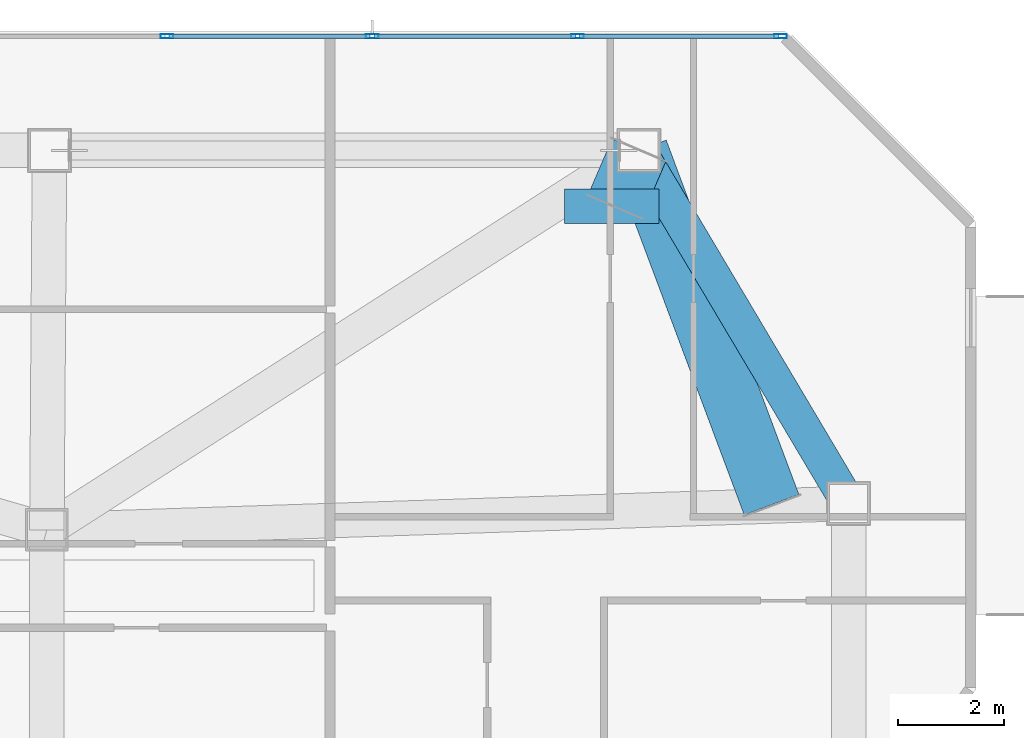
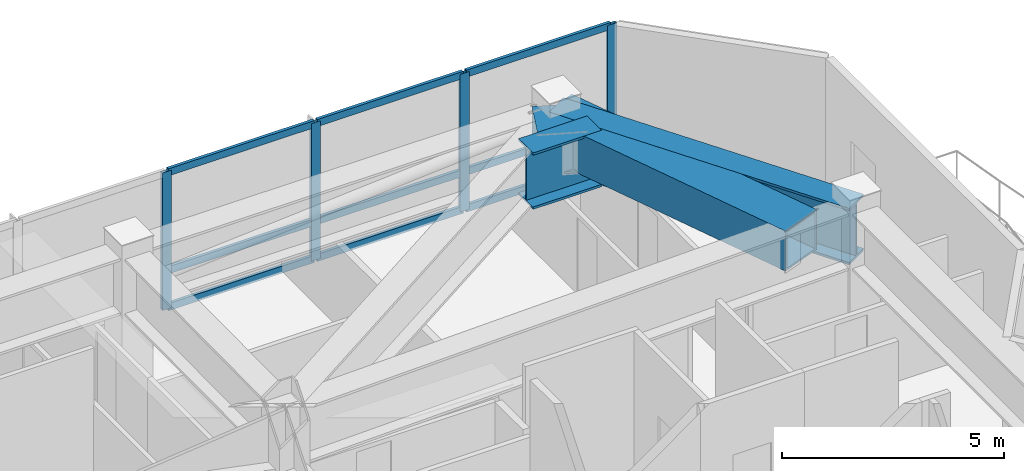
# One storey, part 6 of 16: 13 members, 4 beams, 1 element without a shape of its own.
"""IFC4 building model written with IfcOpenShell, lengths in metres."""

from ifc_helpers import new_model, si_unit, direction, frame, origin, origin_2d, place, context, subcontext, project, spatial, hollow_rectangle, i_section, extrude, material, material_profile, profile_set, type_object, element, aggregate, save


model = new_model("IFC4")

# Units and contexts
model_context = context("Model", 3, precision=1e-05, world=origin(), true_north=direction((0.0, 1.0)))
body_context = subcontext(model_context, "Body", "Model", "MODEL_VIEW")
ifc_project = project(units=[si_unit("LENGTHUNIT", "METRE"), si_unit("AREAUNIT", "SQUARE_METRE"), si_unit("VOLUMEUNIT", "CUBIC_METRE"), si_unit("PLANEANGLEUNIT", "RADIAN"), si_unit("MASSUNIT", "GRAM", prefix="KILO")], contexts=[model_context])

# Site, building, storey
site_placement = place(None, origin())
site = spatial("IfcSite", under=ifc_project, at=site_placement, CompositionType="ELEMENT")
building_placement = place(site_placement, origin())
building = spatial("IfcBuilding", under=site, at=building_placement, Name="Khamvora Tower", CompositionType="ELEMENT")
storey_placement = place(building_placement, frame((0.0, 0.0, 273.64990234375)))
storey = spatial("IfcBuildingStorey", under=building, at=storey_placement, Name="L70", CompositionType="ELEMENT", Elevation=273.64990234375)

# Beams
ifc_material_1 = material(Name="Steel S460", Category="steel")
ifc_material_profile_1 = material_profile(ifc_material_1, hollow_rectangle(XDim=1.10009765625, YDim=1.10009765625, WallThickness=0.054931640625, at=origin_2d()), Name="BOX1100x1100x55")
ifc_profile_set_1 = profile_set([ifc_material_profile_1], Name="Steel S460")
beam_type_1 = type_object("IfcBeamType", Name="BM-TG-BOX1100", PredefinedType="BEAM", material=ifc_profile_set_1)
beam_1_placement = place(storey_placement, frame((61.64990234375, 40.949951171875, 3.22998046875), z_axis=(-0.393867712762, -0.919167136512, 0.0), x_axis=(0.919167136512, -0.393867712762, 0.0)))
element("IfcBeam", 1, at=beam_1_placement, inside=storey, type_object=beam_type_1, Name="L70 setback frame transfer frame transfer link N4.1", PredefinedType="BEAM", context=body_context, shape_type="SweptSolid", body=[
    extrude(hollow_rectangle(XDim=1.10009765625, YDim=1.10009765625, WallThickness=0.054931640625, at=origin_2d()), origin(), (0.0, 0.0, 1.0), 1.142333984375),
])
beam_2_placement = place(storey_placement, frame((61.64990234375, 40.949951171875, 3.22998046875), z_axis=(0.350736790408, -0.936474080717, 0.0), x_axis=(0.936474080717, 0.350736790408, 0.0)))
element("IfcBeam", 2, at=beam_2_placement, inside=storey, type_object=beam_type_1, Name="L70 setback frame transfer frame transfer link E2.2", PredefinedType="BEAM", context=body_context, shape_type="SweptSolid", body=[
    extrude(hollow_rectangle(XDim=1.10009765625, YDim=1.10009765625, WallThickness=0.054931640625, at=origin_2d()), origin(), (0.0, 0.0, 1.0), 7.1279296875),
])
ifc_material_profile_2 = material_profile(ifc_material_1, i_section(OverallWidth=0.64990234375, OverallDepth=1.550048828125, WebThickness=0.0400390625, FlangeThickness=0.06494140625, at=origin_2d()), Name="PG1550x650x40x65")
ifc_profile_set_2 = profile_set([ifc_material_profile_2], Name="Steel S460")
beam_type_2 = type_object("IfcBeamType", Name="BM-TG-PG1800", PredefinedType="BEAM", material=ifc_profile_set_2)
beam_3_placement = place(storey_placement, frame((65.60009765625, 34.300048828125, 3.005126953125), z_axis=(-0.510712313878, 0.859751669061, 0.0), x_axis=(-0.859751669061, -0.510712313878, 0.0)))
element("IfcBeam", 3, at=beam_3_placement, inside=storey, type_object=beam_type_2, Name="L70 perimeter spandrel beam E2-N4", PredefinedType="BEAM", context=body_context, shape_type="SweptSolid", body=[
    extrude(i_section(OverallWidth=0.64990234375, OverallDepth=1.550048828125, WebThickness=0.0400390625, FlangeThickness=0.06494140625, at=origin_2d()), origin(), (0.0, 0.0, 1.0), 7.734619140625),
])
beam_4_placement = place(storey_placement, frame((60.2529296875, 39.89990234375, 3.005126953125), z_axis=(1.0, 0.0, 0.0), x_axis=(0.0, 1.0, 0.0)))
element("IfcBeam", 4, at=beam_4_placement, inside=storey, type_object=beam_type_2, Name="L70 setback frame transfer Box Girder N4", PredefinedType="BEAM", context=body_context, shape_type="SweptSolid", body=[
    extrude(i_section(OverallWidth=0.64990234375, OverallDepth=1.550048828125, WebThickness=0.0400390625, FlangeThickness=0.06494140625, at=origin_2d()), origin(), (0.0, 0.0, 1.0), 1.781005859375),
])

# Curtain wall, members
ifc_material_2 = material(Name="Anodised Aluminium 6063-T6", Category="aluminium")
curtain_wall_type = type_object("IfcCurtainWallType", Name="CW-SYS-06", PredefinedType="NOTDEFINED", material=ifc_material_2)
curtain_wall_placement = place(storey_placement, origin())
curtain_wall = element("IfcCurtainWall", 5, at=curtain_wall_placement, inside=storey, type_object=curtain_wall_type, Name="L70 stick curtain wall 07.1", PredefinedType="NOTDEFINED")
ifc_material_profile_3 = material_profile(ifc_material_2, hollow_rectangle(XDim=0.080078125, YDim=0.239990234375, WallThickness=0.0048828125, at=origin_2d()), Name="MUL80x240x5")
ifc_profile_set_3 = profile_set([ifc_material_profile_3], Name="Anodised Aluminium 6063-T6")
member_type_1 = type_object("IfcMemberType", Name="CW-SYS-06-MUL", PredefinedType="MULLION", material=ifc_profile_set_3)
member_1_placement = place(storey_placement, frame((52.761962890625, 43.10009765625, 0.0), z_axis=(0.0, 0.0, 1.0), x_axis=(0.0, 1.0, 0.0)))
member_1 = element("IfcMember", 6, at=member_1_placement, type_object=member_type_1, Name="CW-06 mullion 8", PredefinedType="MULLION", context=body_context, shape_type="SweptSolid", body=[
    extrude(hollow_rectangle(XDim=0.080078125, YDim=0.239990234375, WallThickness=0.0048828125, at=origin_2d()), origin(), (0.0, 0.0, 1.0), 3.780029296875),
])
member_2_placement = place(storey_placement, frame((56.627685546875, 43.10009765625, 0.0), z_axis=(0.0, 0.0, 1.0), x_axis=(0.0, 1.0, 0.0)))
member_2 = element("IfcMember", 7, at=member_2_placement, type_object=member_type_1, Name="CW-06 mullion 9", PredefinedType="MULLION", context=body_context, shape_type="SweptSolid", body=[
    extrude(hollow_rectangle(XDim=0.080078125, YDim=0.239990234375, WallThickness=0.0048828125, at=origin_2d()), origin(), (0.0, 0.0, 1.0), 3.780029296875),
])
member_3_placement = place(storey_placement, frame((60.493408203125, 43.10009765625, 0.0), z_axis=(0.0, 0.0, 1.0), x_axis=(0.0, 1.0, 0.0)))
member_3 = element("IfcMember", 8, at=member_3_placement, type_object=member_type_1, Name="CW-06 mullion 10", PredefinedType="MULLION", context=body_context, shape_type="SweptSolid", body=[
    extrude(hollow_rectangle(XDim=0.080078125, YDim=0.239990234375, WallThickness=0.0048828125, at=origin_2d()), origin(), (0.0, 0.0, 1.0), 3.780029296875),
])
member_4_placement = place(storey_placement, frame((64.319091796875, 43.10009765625, 0.0), z_axis=(0.0, 0.0, 1.0), x_axis=(0.0, 1.0, 0.0)))
member_4 = element("IfcMember", 9, at=member_4_placement, type_object=member_type_1, Name="CW-06 mullion 11", PredefinedType="MULLION", context=body_context, shape_type="SweptSolid", body=[
    extrude(hollow_rectangle(XDim=0.080078125, YDim=0.239990234375, WallThickness=0.0048828125, at=origin_2d()), origin(), (0.0, 0.0, 1.0), 3.780029296875),
])
ifc_material_profile_4 = material_profile(ifc_material_2, hollow_rectangle(XDim=0.080078125, YDim=0.195068359375, WallThickness=0.0048828125, at=origin_2d()), Name="TRN80x195x5")
ifc_profile_set_4 = profile_set([ifc_material_profile_4], Name="Anodised Aluminium 6063-T6")
member_type_2 = type_object("IfcMemberType", Name="CW-SYS-06-TRN", PredefinedType="USERDEFINED", material=ifc_profile_set_4)
member_5_placement = place(storey_placement, frame((52.802001953125, 43.10009765625, 0.0400390625), z_axis=(1.0, 0.0, 0.0), x_axis=(0.0, 1.0, 0.0)))
member_5 = element("IfcMember", 10, at=member_5_placement, type_object=member_type_2, Name="CW-06 transom 8.1", ObjectType="TRANSOM", PredefinedType="USERDEFINED", context=body_context, shape_type="SweptSolid", body=[
    extrude(hollow_rectangle(XDim=0.080078125, YDim=0.195068359375, WallThickness=0.0048828125, at=origin_2d()), origin(), (0.0, 0.0, 1.0), 3.78564453125),
])
member_6_placement = place(storey_placement, frame((52.802001953125, 43.10009765625, 1.050048828125), z_axis=(1.0, 0.0, 0.0), x_axis=(0.0, 1.0, 0.0)))
member_6 = element("IfcMember", 11, at=member_6_placement, type_object=member_type_2, Name="CW-06 transom 8.2", ObjectType="TRANSOM", PredefinedType="USERDEFINED", context=body_context, shape_type="SweptSolid", body=[
    extrude(hollow_rectangle(XDim=0.080078125, YDim=0.195068359375, WallThickness=0.0048828125, at=origin_2d()), origin(), (0.0, 0.0, 1.0), 3.78564453125),
])
member_7_placement = place(storey_placement, frame((52.802001953125, 43.10009765625, 3.739990234375), z_axis=(1.0, 0.0, 0.0), x_axis=(0.0, 1.0, 0.0)))
member_7 = element("IfcMember", 12, at=member_7_placement, type_object=member_type_2, Name="CW-06 transom 8.3", ObjectType="TRANSOM", PredefinedType="USERDEFINED", context=body_context, shape_type="SweptSolid", body=[
    extrude(hollow_rectangle(XDim=0.080078125, YDim=0.195068359375, WallThickness=0.0048828125, at=origin_2d()), origin(), (0.0, 0.0, 1.0), 3.78564453125),
])
member_8_placement = place(storey_placement, frame((56.66748046875, 43.10009765625, 0.0400390625), z_axis=(1.0, 0.0, 0.0), x_axis=(0.0, 1.0, 0.0)))
member_8 = element("IfcMember", 13, at=member_8_placement, type_object=member_type_2, Name="CW-06 transom 9.1", ObjectType="TRANSOM", PredefinedType="USERDEFINED", context=body_context, shape_type="SweptSolid", body=[
    extrude(hollow_rectangle(XDim=0.080078125, YDim=0.195068359375, WallThickness=0.0048828125, at=origin_2d()), origin(), (0.0, 0.0, 1.0), 3.785888671875),
])
member_9_placement = place(storey_placement, frame((56.66748046875, 43.10009765625, 1.050048828125), z_axis=(1.0, 0.0, 0.0), x_axis=(0.0, 1.0, 0.0)))
member_9 = element("IfcMember", 14, at=member_9_placement, type_object=member_type_2, Name="CW-06 transom 9.2", ObjectType="TRANSOM", PredefinedType="USERDEFINED", context=body_context, shape_type="SweptSolid", body=[
    extrude(hollow_rectangle(XDim=0.080078125, YDim=0.195068359375, WallThickness=0.0048828125, at=origin_2d()), origin(), (0.0, 0.0, 1.0), 3.785888671875),
])
member_10_placement = place(storey_placement, frame((56.66748046875, 43.10009765625, 3.739990234375), z_axis=(1.0, 0.0, 0.0), x_axis=(0.0, 1.0, 0.0)))
member_10 = element("IfcMember", 15, at=member_10_placement, type_object=member_type_2, Name="CW-06 transom 9.3", ObjectType="TRANSOM", PredefinedType="USERDEFINED", context=body_context, shape_type="SweptSolid", body=[
    extrude(hollow_rectangle(XDim=0.080078125, YDim=0.195068359375, WallThickness=0.0048828125, at=origin_2d()), origin(), (0.0, 0.0, 1.0), 3.785888671875),
])
member_11_placement = place(storey_placement, frame((60.533203125, 43.10009765625, 0.0400390625), z_axis=(1.0, 0.0, 0.0), x_axis=(0.0, 1.0, 0.0)))
member_11 = element("IfcMember", 16, at=member_11_placement, type_object=member_type_2, Name="CW-06 transom 10.1", ObjectType="TRANSOM", PredefinedType="USERDEFINED", context=body_context, shape_type="SweptSolid", body=[
    extrude(hollow_rectangle(XDim=0.080078125, YDim=0.195068359375, WallThickness=0.0048828125, at=origin_2d()), origin(), (0.0, 0.0, 1.0), 3.745849609375),
])
member_12_placement = place(storey_placement, frame((60.533203125, 43.10009765625, 1.050048828125), z_axis=(1.0, 0.0, 0.0), x_axis=(0.0, 1.0, 0.0)))
member_12 = element("IfcMember", 17, at=member_12_placement, type_object=member_type_2, Name="CW-06 transom 10.2", ObjectType="TRANSOM", PredefinedType="USERDEFINED", context=body_context, shape_type="SweptSolid", body=[
    extrude(hollow_rectangle(XDim=0.080078125, YDim=0.195068359375, WallThickness=0.0048828125, at=origin_2d()), origin(), (0.0, 0.0, 1.0), 3.745849609375),
])
member_13_placement = place(storey_placement, frame((60.533203125, 43.10009765625, 3.739990234375), z_axis=(1.0, 0.0, 0.0), x_axis=(0.0, 1.0, 0.0)))
member_13 = element("IfcMember", 18, at=member_13_placement, type_object=member_type_2, Name="CW-06 transom 10.3", ObjectType="TRANSOM", PredefinedType="USERDEFINED", context=body_context, shape_type="SweptSolid", body=[
    extrude(hollow_rectangle(XDim=0.080078125, YDim=0.195068359375, WallThickness=0.0048828125, at=origin_2d()), origin(), (0.0, 0.0, 1.0), 3.745849609375),
])
aggregate(curtain_wall, [member_1, member_2, member_3, member_4, member_5, member_6, member_7, member_8, member_9, member_10, member_11, member_12, member_13])

save(model, "model.ifc")
